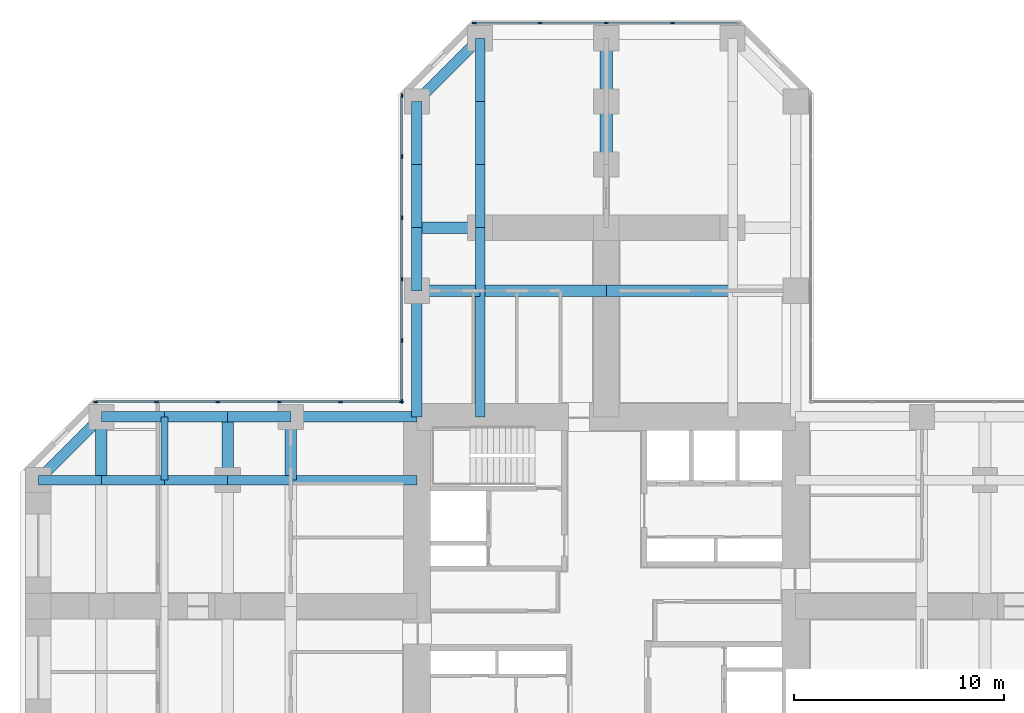
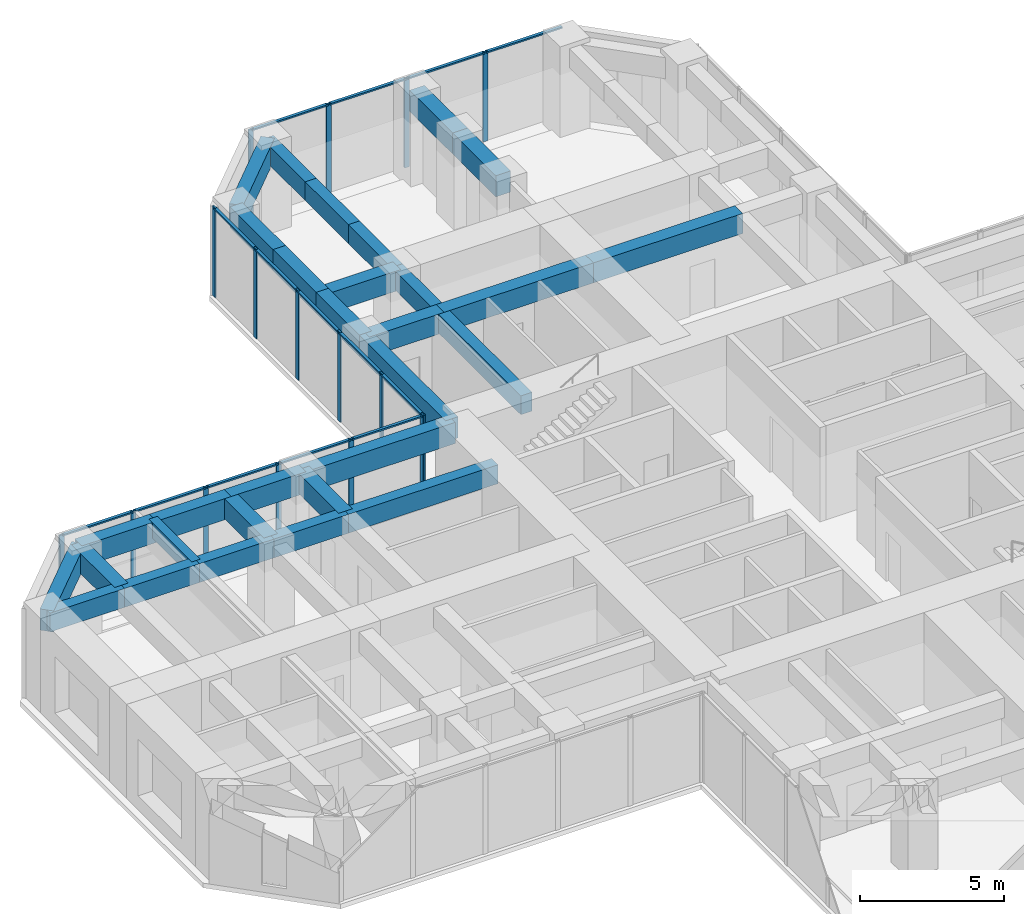
# One storey, part 5 of 13: 30 beams, 30 members, 3 elements without a shape of their own.
"""IFC4 building model written with IfcOpenShell, lengths in metres."""

import ifcopenshell
import ifcopenshell.guid

model = None  # the IFC model being written
_history = None  # IfcOwnerHistory: only IFC2X3 demands one
_inside = {}  # id of a spatial element -> (the spatial element, [elements in it])
_under = {}  # id of a project, library or spatial element -> (it, [spatial elements below it])
_declared = {}  # id of a project -> (the project, [libraries it declares])
_typed = {}  # id of a type object -> (the type object, [elements of that type])
_made_of = {}  # id of a material, layer set ... -> (it, [elements and type objects made of it])


def new_model(schema):
    """Start an empty IFC model of exactly this schema.

    Asked for "IFC4X3", IfcOpenShell would pick the latest addendum, in which some entities
    have other attributes; the version numbers below select the first issue.
    IFC2X3 requires an IfcOwnerHistory on every rooted entity: one is made here for all.
    """
    global model, _history
    if schema == "IFC4X3":
        model = ifcopenshell.file(schema_version=(4, 3, 0, 0))
    else:
        model = ifcopenshell.file(schema=schema)
    _inside.clear()
    _under.clear()
    _declared.clear()
    _typed.clear()
    _made_of.clear()
    _history = None
    if model.schema == "IFC2X3":
        org = make("IfcOrganization", Name="unknown")
        user = make(
            "IfcPersonAndOrganization",
            ThePerson=make("IfcPerson", FamilyName="unknown"),
            TheOrganization=org,
        )
        app = make(
            "IfcApplication",
            ApplicationDeveloper=org,
            Version="unknown",
            ApplicationFullName="unknown",
            ApplicationIdentifier="unknown",
        )
        _history = make(
            "IfcOwnerHistory",
            OwningUser=user,
            OwningApplication=app,
            ChangeAction="ADDED",
            CreationDate=0,
        )
    return model


def make(cls, **values):
    """One entity of the class cls with the attributes given. An attribute that is None is left unset."""
    return model.create_entity(
        cls, **{name: value for name, value in values.items() if value is not None}
    )


def rooted(cls, **values):
    """An entity with a GlobalId (a new one), such as an element, a storey or a relation."""
    return make(cls, GlobalId=ifcopenshell.guid.new(), OwnerHistory=_history, **values)


def si_unit(unit_type, name, prefix=None):
    """IfcSIUnit, for example si_unit("LENGTHUNIT", "METRE", prefix="MILLI")."""
    return make("IfcSIUnit", UnitType=unit_type, Prefix=prefix, Name=name)


def assignment(units):
    """IfcUnitAssignment: the units of a project."""
    return None if units is None else make("IfcUnitAssignment", Units=units)


def point(xyz):
    """IfcCartesianPoint."""
    return None if xyz is None else make("IfcCartesianPoint", Coordinates=xyz)


def direction(xyz):
    """IfcDirection."""
    return None if xyz is None else make("IfcDirection", DirectionRatios=xyz)


def frame(location, z_axis=None, x_axis=None):
    """IfcAxis2Placement3D, a coordinate frame: its origin and axes. An axis left out is left unset."""
    return make(
        "IfcAxis2Placement3D",
        Location=point(location),
        Axis=direction(z_axis),
        RefDirection=direction(x_axis),
    )


def frame_2d(location, x_axis=None):
    """IfcAxis2Placement2D, a coordinate frame in the plane: its origin and x axis."""
    return make(
        "IfcAxis2Placement2D", Location=point(location), RefDirection=direction(x_axis)
    )


def origin():
    """The frame at (0, 0, 0) with its axes left unset."""
    return frame((0.0, 0.0, 0.0))


def origin_2d():
    """The frame at (0, 0) in the plane with its x axis left unset."""
    return frame_2d((0.0, 0.0))


def place(relative_to, where):
    """IfcLocalPlacement: puts the frame where relative to a parent placement (None: the world)."""
    return make(
        "IfcLocalPlacement", PlacementRelTo=relative_to, RelativePlacement=where
    )


def context(
    kind, dimensions, precision=None, world=None, true_north=None, identifier=None
):
    """IfcGeometricRepresentationContext, for example the 3D "Model" context."""
    return make(
        "IfcGeometricRepresentationContext",
        ContextIdentifier=identifier,
        ContextType=kind,
        CoordinateSpaceDimension=dimensions,
        Precision=precision,
        WorldCoordinateSystem=world,
        TrueNorth=true_north,
    )


def subcontext(parent, identifier, kind, view, scale=None):
    """IfcGeometricRepresentationSubContext, for example "Body" below "Model"."""
    return make(
        "IfcGeometricRepresentationSubContext",
        ContextIdentifier=identifier,
        ContextType=kind,
        ParentContext=parent,
        TargetScale=scale,
        TargetView=view,
    )


def project(units=None, contexts=None):
    """IfcProject with its units and contexts."""
    return rooted(
        "IfcProject",
        Name="project",
        RepresentationContexts=contexts,
        UnitsInContext=assignment(units),
    )


def spatial(cls, under=None, at=None, **own):
    """A site, building, storey or space (cls), placed at a placement, below another one or the project."""
    s = rooted(cls, ObjectPlacement=at, **own)
    if under is not None:
        _under.setdefault(under.id(), (under, []))[1].append(s)
    return s


def profile(cls, at=None, kind="AREA", **sizes):
    """A parametric profile (cls). Its sizes go by their IFC names, for example OverallWidth=200.0."""
    return make(cls, ProfileType=kind, Position=at, **sizes)


def rectangle(**sizes):
    """IfcRectangleProfileDef."""
    return profile("IfcRectangleProfileDef", **sizes)


def extrude(swept, where, along, depth):
    """IfcExtrudedAreaSolid: the profile swept, set in the frame where, extruded along a direction by depth."""
    return make(
        "IfcExtrudedAreaSolid",
        SweptArea=swept,
        Position=where,
        ExtrudedDirection=direction(along),
        Depth=depth,
    )


def shape(context_of_items, identifier, shape_type, items):
    """IfcShapeRepresentation: the items that make up one representation, for example the "Body"."""
    return make(
        "IfcShapeRepresentation",
        ContextOfItems=context_of_items,
        RepresentationIdentifier=identifier,
        RepresentationType=shape_type,
        Items=items,
    )


def material(Name=None, Category=None):
    """IfcMaterial."""
    return make("IfcMaterial", Name=Name, Category=Category)


def material_profile(
    of_material, cross_section, Name=None, Category=None, Priority=None
):
    """IfcMaterialProfile: a cross section and its material."""
    return make(
        "IfcMaterialProfile",
        Name=Name,
        Material=of_material,
        Profile=cross_section,
        Priority=Priority,
        Category=Category,
    )


def profile_set(profiles, Name=None, composite=None):
    """IfcMaterialProfileSet."""
    return make(
        "IfcMaterialProfileSet",
        Name=Name,
        MaterialProfiles=profiles,
        CompositeProfile=composite,
    )


def made_of(thing, what):
    """Note that an element or type object is made of a material, layer set ...; save() writes the relation."""
    if what is not None:
        _made_of.setdefault(what.id(), (what, []))[1].append(thing)
    return thing


def type_object(cls, material=None, **own):
    """A type object (cls), such as IfcWallType, which elements share."""
    return made_of(rooted(cls, **own), material)


def element(
    cls,
    number,
    at=None,
    inside=None,
    cuts=None,
    type_object=None,
    material=None,
    context=None,
    identifier="Body",
    shape_type=None,
    held_by="IfcProductDefinitionShape",
    body=None,
    shapes=None,
    **own,
):
    """One element of the class cls, such as IfcWall. Its Tag is "e" and its number.

    at: its placement. inside: the storey or other place that contains it. cuts: it is an
    opening in that element (IfcRelVoidsElement). A single representation is given by context,
    identifier, shape_type and body (its items); several are given by shapes. held_by: the class
    of the entity that holds the representations. save() writes the other relations.
    """
    e = rooted(cls, Tag="e%d" % number, ObjectPlacement=at, **own)
    if body is not None:
        shapes = [shape(context, identifier, shape_type, body)]
    if shapes is not None:
        e.Representation = make(held_by, Representations=shapes)
    if inside is not None:
        _inside.setdefault(inside.id(), (inside, []))[1].append(e)
    if cuts is not None:
        rooted(
            "IfcRelVoidsElement", RelatingBuildingElement=cuts, RelatedOpeningElement=e
        )
    if type_object is not None:
        _typed.setdefault(type_object.id(), (type_object, []))[1].append(e)
    return made_of(e, material)


def aggregate(whole, parts):
    """IfcRelAggregates: a whole, such as a stair, and the parts it consists of."""
    return rooted("IfcRelAggregates", RelatingObject=whole, RelatedObjects=parts)


def save(model, path):
    """Write the relations noted so far, then the file.

    IfcRelAggregates (storeys below a building ...), IfcRelContainedInSpatialStructure (elements
    in a storey), IfcRelDefinesByType, IfcRelAssociatesMaterial and IfcRelDeclares: one each for
    every whole, place, type object, material and project.
    """
    for whole, parts in _under.values():
        aggregate(whole, parts)
    for where, things in _inside.values():
        rooted(
            "IfcRelContainedInSpatialStructure",
            RelatedElements=things,
            RelatingStructure=where,
        )
    for kind, things in _typed.values():
        rooted("IfcRelDefinesByType", RelatedObjects=things, RelatingType=kind)
    for what, things in _made_of.values():
        rooted("IfcRelAssociatesMaterial", RelatedObjects=things, RelatingMaterial=what)
    for by, libraries in _declared.values():
        rooted("IfcRelDeclares", RelatingContext=by, RelatedDefinitions=libraries)
    model.write(path)


model = new_model("IFC4")

# Units and contexts
model_context = context("Model", 3, precision=1e-05, world=origin(), true_north=direction((0.0, 1.0)))
body_context = subcontext(model_context, "Body", "Model", "MODEL_VIEW")
ifc_project = project(units=[si_unit("LENGTHUNIT", "METRE"), si_unit("AREAUNIT", "SQUARE_METRE"), si_unit("VOLUMEUNIT", "CUBIC_METRE"), si_unit("PLANEANGLEUNIT", "RADIAN"), si_unit("MASSUNIT", "GRAM", prefix="KILO")], contexts=[model_context])

# Site, building, storey
site_placement = place(None, origin())
site = spatial("IfcSite", under=ifc_project, at=site_placement, CompositionType="ELEMENT")
building_placement = place(site_placement, origin())
building = spatial("IfcBuilding", under=site, at=building_placement, Name="Torre Cruceta", CompositionType="ELEMENT")
storey_placement = place(building_placement, frame((0.0, 0.0, 55.5)))
storey = spatial("IfcBuildingStorey", under=building, at=storey_placement, Name="L13", CompositionType="ELEMENT", Elevation=55.5)

# Beams
ifc_material_1 = material(Name="Concrete G60 (fck 60 MPa)", Category="concrete")
ifc_material_profile_1 = material_profile(ifc_material_1, rectangle(XDim=0.60009765625, YDim=0.89990234375, at=origin_2d()), Name="RC 600X900")
ifc_profile_set_1 = profile_set([ifc_material_profile_1], Name="Concrete G60 (fck 60 MPa)")
beam_type_1 = type_object("IfcBeamType", Name="ARM CENTRE BEAM RC 600X900", PredefinedType="BEAM", material=ifc_profile_set_1)
for number, where, z_axis, x_axis, name in (
    (1, (0.0, 21.0, 3.35009765625), (0.0, 1.0, 0.0), (-1.0, 0.0, 0.0), "MB3 L13 N centre 1"),
    (2, (0.0, 24.0, 3.35009765625), (0.0, 1.0, 0.0), (-1.0, 0.0, 0.0), "MB3 L13 N centre 2"),
):
    element("IfcBeam", number, at=place(storey_placement, frame(where, z_axis=z_axis, x_axis=x_axis)), inside=storey, type_object=beam_type_1, Name=name, PredefinedType="BEAM", context=body_context, shape_type="SweptSolid", body=[
        extrude(rectangle(XDim=0.60009765625, YDim=0.89990234375, at=origin_2d()), origin(), (0.0, 0.0, 1.0), 3.0),
    ])
ifc_material_2 = material(Name="Concrete G60 (fck 60 MPa)", Category="concrete")
ifc_material_profile_2 = material_profile(ifc_material_2, rectangle(XDim=0.449951171875, YDim=0.800048828125, at=origin_2d()), Name="RC 450X800")
ifc_profile_set_2 = profile_set([ifc_material_profile_2], Name="Concrete G60 (fck 60 MPa)")
beam_type_2 = type_object("IfcBeamType", Name="COLUMN LINE BEAM RC 450X800", PredefinedType="BEAM", material=ifc_profile_set_2)
beam_1_placement = place(storey_placement, frame((-6.0, 9.0, 3.39990234375), z_axis=(0.0, 1.0, 0.0), x_axis=(-1.0, 0.0, 0.0)))
element("IfcBeam", 3, at=beam_1_placement, inside=storey, type_object=beam_type_2, Name="LB1 L13 N col+ 1", PredefinedType="BEAM", context=body_context, shape_type="SweptSolid", body=[
    extrude(rectangle(XDim=0.449951171875, YDim=0.800048828125, at=origin_2d()), origin(), (0.0, 0.0, 1.0), 6.0),
])
for number, where, z_axis, x_axis, name in (
    (4, (-6.0, 15.0, 3.39990234375), (0.0, 1.0, 0.0), (-1.0, 0.0, 0.0), "LB1 L13 N col+ 2"),
    (5, (-6.0, 18.0, 3.39990234375), (0.0, 1.0, 0.0), (-1.0, 0.0, 0.0), "LB1 L13 N col+ 3"),
    (6, (-6.0, 21.0, 3.39990234375), (0.0, 1.0, 0.0), (-1.0, 0.0, 0.0), "LB1 L13 N col+ 4"),
    (7, (-6.0, 24.0, 3.39990234375), (0.0, 1.0, 0.0), (-1.0, 0.0, 0.0), "LB1 L13 N col+ 5"),
):
    element("IfcBeam", number, at=place(storey_placement, frame(where, z_axis=z_axis, x_axis=x_axis)), inside=storey, type_object=beam_type_2, Name=name, PredefinedType="BEAM", context=body_context, shape_type="SweptSolid", body=[
        extrude(rectangle(XDim=0.449951171875, YDim=0.800048828125, at=origin_2d()), origin(), (0.0, 0.0, 1.0), 3.0),
    ])
beam_2_placement = place(storey_placement, frame((-9.0, 6.0, 3.39990234375), z_axis=(-1.0, 0.0, 0.0), x_axis=(0.0, -1.0, 0.0)))
element("IfcBeam", 8, at=beam_2_placement, inside=storey, type_object=beam_type_2, Name="LB1 L13 W col- 1", PredefinedType="BEAM", context=body_context, shape_type="SweptSolid", body=[
    extrude(rectangle(XDim=0.449951171875, YDim=0.800048828125, at=origin_2d()), origin(), (0.0, 0.0, 1.0), 6.0),
])
for number, where, z_axis, x_axis, name in (
    (9, (-15.0, 6.0, 3.39990234375), (-1.0, 0.0, 0.0), (0.0, -1.0, 0.0), "LB1 L13 W col- 2"),
    (10, (-18.0, 6.0, 3.39990234375), (-1.0, 0.0, 0.0), (0.0, -1.0, 0.0), "LB1 L13 W col- 3"),
    (11, (-21.0, 6.0, 3.39990234375), (-1.0, 0.0, 0.0), (0.0, -1.0, 0.0), "LB1 L13 W col- 4"),
    (12, (-24.0, 6.0, 3.39990234375), (-1.0, 0.0, 0.0), (0.0, -1.0, 0.0), "LB1 L13 W col- 5"),
):
    element("IfcBeam", number, at=place(storey_placement, frame(where, z_axis=z_axis, x_axis=x_axis)), inside=storey, type_object=beam_type_2, Name=name, PredefinedType="BEAM", context=body_context, shape_type="SweptSolid", body=[
        extrude(rectangle(XDim=0.449951171875, YDim=0.800048828125, at=origin_2d()), origin(), (0.0, 0.0, 1.0), 3.0),
    ])
ifc_material_3 = material(Name="Concrete G60 (fck 60 MPa)", Category="concrete")
ifc_material_profile_3 = material_profile(ifc_material_3, rectangle(XDim=0.550048828125, YDim=0.85009765625, at=origin_2d()), Name="RC 550X850")
ifc_profile_set_3 = profile_set([ifc_material_profile_3], Name="Concrete G60 (fck 60 MPa)")
beam_type_3 = type_object("IfcBeamType", Name="CROSS BEAM RC 550X850", PredefinedType="BEAM", material=ifc_profile_set_3)
for number, where, z_axis, x_axis, name in (
    (13, (6.0, 15.0, 3.375), (-1.0, 0.0, 0.0), (0.0, -1.0, 0.0), "GB4 L13 N cross15 2"),
    (14, (0.0, 15.0, 3.375), (-1.0, 0.0, 0.0), (0.0, -1.0, 0.0), "GB4 L13 N cross15 3"),
):
    element("IfcBeam", number, at=place(storey_placement, frame(where, z_axis=z_axis, x_axis=x_axis)), inside=storey, type_object=beam_type_3, Name=name, PredefinedType="BEAM", context=body_context, shape_type="SweptSolid", body=[
        extrude(rectangle(XDim=0.550048828125, YDim=0.85009765625, at=origin_2d()), origin(), (0.0, 0.0, 1.0), 6.0),
    ])
for number, where, z_axis, x_axis, name in (
    (15, (-6.0, 15.0, 3.375), (-1.0, 0.0, 0.0), (0.0, -1.0, 0.0), "GB4 L13 N cross15 4"),
    (16, (-6.0, 18.0, 3.375), (-1.0, 0.0, 0.0), (0.0, -1.0, 0.0), "GB4 L13 N cross18b 1"),
    (17, (-15.0, 9.0, 3.375), (0.0, -1.0, 0.0), (1.0, 0.0, 0.0), "GB4 L13 W cross15 1"),
    (18, (-18.0, 9.0, 3.375), (0.0, -1.0, 0.0), (1.0, 0.0, 0.0), "GB4 L13 W cross18 1"),
    (19, (-24.0, 9.0, 3.375), (0.0, -1.0, 0.0), (1.0, 0.0, 0.0), "GB4 L13 W cross24 1"),
):
    element("IfcBeam", number, at=place(storey_placement, frame(where, z_axis=z_axis, x_axis=x_axis)), inside=storey, type_object=beam_type_3, Name=name, PredefinedType="BEAM", context=body_context, shape_type="SweptSolid", body=[
        extrude(rectangle(XDim=0.550048828125, YDim=0.85009765625, at=origin_2d()), origin(), (0.0, 0.0, 1.0), 3.0),
    ])

# Curtain wall, members
ifc_material_4 = material(Name="Aluminium unitised curtain wall", Category="aluminium")
curtain_wall_type = type_object("IfcCurtainWallType", Name="CURTAIN WALL CW-A OFFICE LOW RISE", PredefinedType="USERDEFINED", material=ifc_material_4)
curtain_wall_1_placement = place(storey_placement, origin())
curtain_wall_1 = element("IfcCurtainWall", 20, at=curtain_wall_1_placement, inside=storey, type_object=curtain_wall_type, Name="CW-A L13 N tip 07", ObjectType="UNITISED", PredefinedType="USERDEFINED")
ifc_material_5 = material(Name="Aluminium mullion", Category="aluminium")
ifc_material_profile_4 = material_profile(ifc_material_5, rectangle(XDim=0.06494140625, YDim=0.199951171875, at=origin_2d()), Name="AL 65X200")
ifc_profile_set_4 = profile_set([ifc_material_profile_4], Name="Aluminium mullion")
member_type_1 = type_object("IfcMemberType", Name="CW-A MULLION 65X200", PredefinedType="MULLION", material=ifc_profile_set_4)
member_1_placement = place(storey_placement, frame((3.149169921875, 27.719970703125, 0.0), z_axis=(0.0, 0.0, 1.0), x_axis=(0.0, -1.0, 0.0)))
member_1 = element("IfcMember", 21, at=member_1_placement, type_object=member_type_1, Name="CW-A mullion 2", PredefinedType="MULLION", context=body_context, shape_type="SweptSolid", body=[
    extrude(rectangle(XDim=0.06494140625, YDim=0.199951171875, at=origin_2d()), origin(), (0.0, 0.0, 1.0), 3.800048828125),
])
member_2_placement = place(storey_placement, frame((0.0, 27.719970703125, 0.0), z_axis=(0.0, 0.0, 1.0), x_axis=(0.0, -1.0, 0.0)))
member_2 = element("IfcMember", 22, at=member_2_placement, type_object=member_type_1, Name="CW-A mullion 3", PredefinedType="MULLION", context=body_context, shape_type="SweptSolid", body=[
    extrude(rectangle(XDim=0.06494140625, YDim=0.199951171875, at=origin_2d()), origin(), (0.0, 0.0, 1.0), 3.800048828125),
])
member_3_placement = place(storey_placement, frame((-3.149169921875, 27.719970703125, 0.0), z_axis=(0.0, 0.0, 1.0), x_axis=(0.0, -1.0, 0.0)))
member_3 = element("IfcMember", 23, at=member_3_placement, type_object=member_type_1, Name="CW-A mullion 4", PredefinedType="MULLION", context=body_context, shape_type="SweptSolid", body=[
    extrude(rectangle(XDim=0.06494140625, YDim=0.199951171875, at=origin_2d()), origin(), (0.0, 0.0, 1.0), 3.800048828125),
])
member_4_placement = place(storey_placement, frame((-6.265625, 27.719970703125, 0.0), z_axis=(0.0, 0.0, 1.0), x_axis=(0.0, -1.0, 0.0)))
member_4 = element("IfcMember", 24, at=member_4_placement, type_object=member_type_1, Name="CW-A mullion 5", PredefinedType="MULLION", context=body_context, shape_type="SweptSolid", body=[
    extrude(rectangle(XDim=0.06494140625, YDim=0.199951171875, at=origin_2d()), origin(), (0.0, 0.0, 1.0), 3.800048828125),
])

curtain_wall_2_placement = place(storey_placement, origin())
curtain_wall_2 = element("IfcCurtainWall", 25, at=curtain_wall_2_placement, inside=storey, type_object=curtain_wall_type, Name="CW-A L13 N side 09", ObjectType="UNITISED", PredefinedType="USERDEFINED")
member_5_placement = place(storey_placement, frame((-9.719970703125, 24.265625, 0.0), z_axis=(0.0, 0.0, 1.0), x_axis=(1.0, 0.0, 0.0)))
member_5 = element("IfcMember", 26, at=member_5_placement, type_object=member_type_1, Name="CW-A mullion 1", PredefinedType="MULLION", context=body_context, shape_type="SweptSolid", body=[
    extrude(rectangle(XDim=0.06494140625, YDim=0.199951171875, at=origin_2d()), origin(), (0.0, 0.0, 1.0), 3.800048828125),
])
member_6_placement = place(storey_placement, frame((-9.719970703125, 21.382568359375, 0.0), z_axis=(0.0, 0.0, 1.0), x_axis=(1.0, 0.0, 0.0)))
member_6 = element("IfcMember", 27, at=member_6_placement, type_object=member_type_1, Name="CW-A mullion 2", PredefinedType="MULLION", context=body_context, shape_type="SweptSolid", body=[
    extrude(rectangle(XDim=0.06494140625, YDim=0.199951171875, at=origin_2d()), origin(), (0.0, 0.0, 1.0), 3.800048828125),
])
member_7_placement = place(storey_placement, frame((-9.719970703125, 18.467041015625, 0.0), z_axis=(0.0, 0.0, 1.0), x_axis=(1.0, 0.0, 0.0)))
member_7 = element("IfcMember", 28, at=member_7_placement, type_object=member_type_1, Name="CW-A mullion 3", PredefinedType="MULLION", context=body_context, shape_type="SweptSolid", body=[
    extrude(rectangle(XDim=0.06494140625, YDim=0.199951171875, at=origin_2d()), origin(), (0.0, 0.0, 1.0), 3.800048828125),
])
member_8_placement = place(storey_placement, frame((-9.719970703125, 15.55126953125, 0.0), z_axis=(0.0, 0.0, 1.0), x_axis=(1.0, 0.0, 0.0)))
member_8 = element("IfcMember", 29, at=member_8_placement, type_object=member_type_1, Name="CW-A mullion 4", PredefinedType="MULLION", context=body_context, shape_type="SweptSolid", body=[
    extrude(rectangle(XDim=0.06494140625, YDim=0.199951171875, at=origin_2d()), origin(), (0.0, 0.0, 1.0), 3.800048828125),
])
member_9_placement = place(storey_placement, frame((-9.719970703125, 12.6357421875, 0.0), z_axis=(0.0, 0.0, 1.0), x_axis=(1.0, 0.0, 0.0)))
member_9 = element("IfcMember", 30, at=member_9_placement, type_object=member_type_1, Name="CW-A mullion 5", PredefinedType="MULLION", context=body_context, shape_type="SweptSolid", body=[
    extrude(rectangle(XDim=0.06494140625, YDim=0.199951171875, at=origin_2d()), origin(), (0.0, 0.0, 1.0), 3.800048828125),
])
member_10_placement = place(storey_placement, frame((-9.719970703125, 9.75244140625, 0.0), z_axis=(0.0, 0.0, 1.0), x_axis=(1.0, 0.0, 0.0)))
member_10 = element("IfcMember", 31, at=member_10_placement, type_object=member_type_1, Name="CW-A mullion 6", PredefinedType="MULLION", context=body_context, shape_type="SweptSolid", body=[
    extrude(rectangle(XDim=0.06494140625, YDim=0.199951171875, at=origin_2d()), origin(), (0.0, 0.0, 1.0), 3.800048828125),
])

curtain_wall_3_placement = place(storey_placement, origin())
curtain_wall_3 = element("IfcCurtainWall", 32, at=curtain_wall_3_placement, inside=storey, type_object=curtain_wall_type, Name="CW-A L13 W side 10", ObjectType="UNITISED", PredefinedType="USERDEFINED")
member_11_placement = place(storey_placement, frame((-9.75244140625, 9.719970703125, 0.0), z_axis=(0.0, 0.0, 1.0), x_axis=(0.0, -1.0, 0.0)))
member_11 = element("IfcMember", 33, at=member_11_placement, type_object=member_type_1, Name="CW-A mullion 1", PredefinedType="MULLION", context=body_context, shape_type="SweptSolid", body=[
    extrude(rectangle(XDim=0.06494140625, YDim=0.199951171875, at=origin_2d()), origin(), (0.0, 0.0, 1.0), 3.800048828125),
])
member_12_placement = place(storey_placement, frame((-12.6357421875, 9.719970703125, 0.0), z_axis=(0.0, 0.0, 1.0), x_axis=(0.0, -1.0, 0.0)))
member_12 = element("IfcMember", 34, at=member_12_placement, type_object=member_type_1, Name="CW-A mullion 2", PredefinedType="MULLION", context=body_context, shape_type="SweptSolid", body=[
    extrude(rectangle(XDim=0.06494140625, YDim=0.199951171875, at=origin_2d()), origin(), (0.0, 0.0, 1.0), 3.800048828125),
])
member_13_placement = place(storey_placement, frame((-15.55126953125, 9.719970703125, 0.0), z_axis=(0.0, 0.0, 1.0), x_axis=(0.0, -1.0, 0.0)))
member_13 = element("IfcMember", 35, at=member_13_placement, type_object=member_type_1, Name="CW-A mullion 3", PredefinedType="MULLION", context=body_context, shape_type="SweptSolid", body=[
    extrude(rectangle(XDim=0.06494140625, YDim=0.199951171875, at=origin_2d()), origin(), (0.0, 0.0, 1.0), 3.800048828125),
])
member_14_placement = place(storey_placement, frame((-18.467041015625, 9.719970703125, 0.0), z_axis=(0.0, 0.0, 1.0), x_axis=(0.0, -1.0, 0.0)))
member_14 = element("IfcMember", 36, at=member_14_placement, type_object=member_type_1, Name="CW-A mullion 4", PredefinedType="MULLION", context=body_context, shape_type="SweptSolid", body=[
    extrude(rectangle(XDim=0.06494140625, YDim=0.199951171875, at=origin_2d()), origin(), (0.0, 0.0, 1.0), 3.800048828125),
])
member_15_placement = place(storey_placement, frame((-21.382568359375, 9.719970703125, 0.0), z_axis=(0.0, 0.0, 1.0), x_axis=(0.0, -1.0, 0.0)))
member_15 = element("IfcMember", 37, at=member_15_placement, type_object=member_type_1, Name="CW-A mullion 5", PredefinedType="MULLION", context=body_context, shape_type="SweptSolid", body=[
    extrude(rectangle(XDim=0.06494140625, YDim=0.199951171875, at=origin_2d()), origin(), (0.0, 0.0, 1.0), 3.800048828125),
])
member_16_placement = place(storey_placement, frame((-24.265625, 9.719970703125, 0.0), z_axis=(0.0, 0.0, 1.0), x_axis=(0.0, -1.0, 0.0)))
member_16 = element("IfcMember", 38, at=member_16_placement, type_object=member_type_1, Name="CW-A mullion 6", PredefinedType="MULLION", context=body_context, shape_type="SweptSolid", body=[
    extrude(rectangle(XDim=0.06494140625, YDim=0.199951171875, at=origin_2d()), origin(), (0.0, 0.0, 1.0), 3.800048828125),
])

# Member
ifc_material_6 = material(Name="Aluminium transom", Category="aluminium")
ifc_material_profile_5 = material_profile(ifc_material_6, rectangle(XDim=0.1201171875, YDim=0.06494140625, at=origin_2d()), Name="AL 120X65")
ifc_profile_set_5 = profile_set([ifc_material_profile_5], Name="Aluminium transom")
member_type_2 = type_object("IfcMemberType", Name="CW-A TRANSOM 65X120", PredefinedType="USERDEFINED", material=ifc_profile_set_5)
member_17_placement = place(storey_placement, frame((6.233154296875, 27.719970703125, 3.767578125), z_axis=(-1.0, 0.0, 0.0), x_axis=(0.0, -1.0, 0.0)))
member_17 = element("IfcMember", 39, at=member_17_placement, type_object=member_type_2, Name="CW-A transom 1", ObjectType="TRANSOM", PredefinedType="USERDEFINED", context=body_context, shape_type="SweptSolid", body=[
    extrude(rectangle(XDim=0.1201171875, YDim=0.06494140625, at=origin_2d()), origin(), (0.0, 0.0, 1.0), 3.051513671875),
])

member_18_placement = place(storey_placement, frame((3.11669921875, 27.719970703125, 3.767578125), z_axis=(-1.0, 0.0, 0.0), x_axis=(0.0, -1.0, 0.0)))
member_18 = element("IfcMember", 40, at=member_18_placement, type_object=member_type_2, Name="CW-A transom 2", ObjectType="TRANSOM", PredefinedType="USERDEFINED", context=body_context, shape_type="SweptSolid", body=[
    extrude(rectangle(XDim=0.1201171875, YDim=0.06494140625, at=origin_2d()), origin(), (0.0, 0.0, 1.0), 3.084228515625),
])

member_19_placement = place(storey_placement, frame((-0.032470703125, 27.719970703125, 3.767578125), z_axis=(-1.0, 0.0, 0.0), x_axis=(0.0, -1.0, 0.0)))
member_19 = element("IfcMember", 41, at=member_19_placement, type_object=member_type_2, Name="CW-A transom 3", ObjectType="TRANSOM", PredefinedType="USERDEFINED", context=body_context, shape_type="SweptSolid", body=[
    extrude(rectangle(XDim=0.1201171875, YDim=0.06494140625, at=origin_2d()), origin(), (0.0, 0.0, 1.0), 3.084228515625),
])

member_20_placement = place(storey_placement, frame((-3.181640625, 27.719970703125, 3.767578125), z_axis=(-1.0, 0.0, 0.0), x_axis=(0.0, -1.0, 0.0)))
member_20 = element("IfcMember", 42, at=member_20_placement, type_object=member_type_2, Name="CW-A transom 4", ObjectType="TRANSOM", PredefinedType="USERDEFINED", context=body_context, shape_type="SweptSolid", body=[
    extrude(rectangle(XDim=0.1201171875, YDim=0.06494140625, at=origin_2d()), origin(), (0.0, 0.0, 1.0), 3.051513671875),
])

aggregate(curtain_wall_1, [member_1, member_2, member_3, member_4, member_17, member_18, member_19, member_20])

member_21_placement = place(storey_placement, frame((-9.719970703125, 24.233154296875, 3.767578125), z_axis=(0.0, -1.0, 0.0), x_axis=(1.0, 0.0, 0.0)))
member_21 = element("IfcMember", 43, at=member_21_placement, type_object=member_type_2, Name="CW-A transom 1", ObjectType="TRANSOM", PredefinedType="USERDEFINED", context=body_context, shape_type="SweptSolid", body=[
    extrude(rectangle(XDim=0.1201171875, YDim=0.06494140625, at=origin_2d()), origin(), (0.0, 0.0, 1.0), 2.818115234375),
])

member_22_placement = place(storey_placement, frame((-9.719970703125, 21.35009765625, 3.767578125), z_axis=(0.0, -1.0, 0.0), x_axis=(1.0, 0.0, 0.0)))
member_22 = element("IfcMember", 44, at=member_22_placement, type_object=member_type_2, Name="CW-A transom 2", ObjectType="TRANSOM", PredefinedType="USERDEFINED", context=body_context, shape_type="SweptSolid", body=[
    extrude(rectangle(XDim=0.1201171875, YDim=0.06494140625, at=origin_2d()), origin(), (0.0, 0.0, 1.0), 2.8505859375),
])

member_23_placement = place(storey_placement, frame((-9.719970703125, 18.434326171875, 3.767578125), z_axis=(0.0, -1.0, 0.0), x_axis=(1.0, 0.0, 0.0)))
member_23 = element("IfcMember", 45, at=member_23_placement, type_object=member_type_2, Name="CW-A transom 3", ObjectType="TRANSOM", PredefinedType="USERDEFINED", context=body_context, shape_type="SweptSolid", body=[
    extrude(rectangle(XDim=0.1201171875, YDim=0.06494140625, at=origin_2d()), origin(), (0.0, 0.0, 1.0), 2.8505859375),
])

member_24_placement = place(storey_placement, frame((-9.719970703125, 15.518798828125, 3.767578125), z_axis=(0.0, -1.0, 0.0), x_axis=(1.0, 0.0, 0.0)))
member_24 = element("IfcMember", 46, at=member_24_placement, type_object=member_type_2, Name="CW-A transom 4", ObjectType="TRANSOM", PredefinedType="USERDEFINED", context=body_context, shape_type="SweptSolid", body=[
    extrude(rectangle(XDim=0.1201171875, YDim=0.06494140625, at=origin_2d()), origin(), (0.0, 0.0, 1.0), 2.8505859375),
])

member_25_placement = place(storey_placement, frame((-9.719970703125, 12.60302734375, 3.767578125), z_axis=(0.0, -1.0, 0.0), x_axis=(1.0, 0.0, 0.0)))
member_25 = element("IfcMember", 47, at=member_25_placement, type_object=member_type_2, Name="CW-A transom 5", ObjectType="TRANSOM", PredefinedType="USERDEFINED", context=body_context, shape_type="SweptSolid", body=[
    extrude(rectangle(XDim=0.1201171875, YDim=0.06494140625, at=origin_2d()), origin(), (0.0, 0.0, 1.0), 2.818115234375),
])

aggregate(curtain_wall_2, [member_5, member_6, member_7, member_8, member_9, member_10, member_21, member_22, member_23, member_24, member_25])

member_26_placement = place(storey_placement, frame((-9.784912109375, 9.719970703125, 3.767578125), z_axis=(-1.0, 0.0, 0.0), x_axis=(0.0, -1.0, 0.0)))
member_26 = element("IfcMember", 48, at=member_26_placement, type_object=member_type_2, Name="CW-A transom 1", ObjectType="TRANSOM", PredefinedType="USERDEFINED", context=body_context, shape_type="SweptSolid", body=[
    extrude(rectangle(XDim=0.1201171875, YDim=0.06494140625, at=origin_2d()), origin(), (0.0, 0.0, 1.0), 2.818115234375),
])

member_27_placement = place(storey_placement, frame((-12.668212890625, 9.719970703125, 3.767578125), z_axis=(-1.0, 0.0, 0.0), x_axis=(0.0, -1.0, 0.0)))
member_27 = element("IfcMember", 49, at=member_27_placement, type_object=member_type_2, Name="CW-A transom 2", ObjectType="TRANSOM", PredefinedType="USERDEFINED", context=body_context, shape_type="SweptSolid", body=[
    extrude(rectangle(XDim=0.1201171875, YDim=0.06494140625, at=origin_2d()), origin(), (0.0, 0.0, 1.0), 2.8505859375),
])

member_28_placement = place(storey_placement, frame((-15.583740234375, 9.719970703125, 3.767578125), z_axis=(-1.0, 0.0, 0.0), x_axis=(0.0, -1.0, 0.0)))
member_28 = element("IfcMember", 50, at=member_28_placement, type_object=member_type_2, Name="CW-A transom 3", ObjectType="TRANSOM", PredefinedType="USERDEFINED", context=body_context, shape_type="SweptSolid", body=[
    extrude(rectangle(XDim=0.1201171875, YDim=0.06494140625, at=origin_2d()), origin(), (0.0, 0.0, 1.0), 2.8505859375),
])

member_29_placement = place(storey_placement, frame((-18.49951171875, 9.719970703125, 3.767578125), z_axis=(-1.0, 0.0, 0.0), x_axis=(0.0, -1.0, 0.0)))
member_29 = element("IfcMember", 51, at=member_29_placement, type_object=member_type_2, Name="CW-A transom 4", ObjectType="TRANSOM", PredefinedType="USERDEFINED", context=body_context, shape_type="SweptSolid", body=[
    extrude(rectangle(XDim=0.1201171875, YDim=0.06494140625, at=origin_2d()), origin(), (0.0, 0.0, 1.0), 2.8505859375),
])

member_30_placement = place(storey_placement, frame((-21.4150390625, 9.719970703125, 3.767578125), z_axis=(-1.0, 0.0, 0.0), x_axis=(0.0, -1.0, 0.0)))
member_30 = element("IfcMember", 52, at=member_30_placement, type_object=member_type_2, Name="CW-A transom 5", ObjectType="TRANSOM", PredefinedType="USERDEFINED", context=body_context, shape_type="SweptSolid", body=[
    extrude(rectangle(XDim=0.1201171875, YDim=0.06494140625, at=origin_2d()), origin(), (0.0, 0.0, 1.0), 2.818115234375),
])

aggregate(curtain_wall_3, [member_11, member_12, member_13, member_14, member_15, member_16, member_26, member_27, member_28, member_29, member_30])

# Beams
ifc_material_7 = material(Name="Concrete G60 (fck 60 MPa)", Category="concrete")
ifc_material_profile_6 = material_profile(ifc_material_7, rectangle(XDim=0.35009765625, YDim=0.64990234375, at=origin_2d()), Name="RC 350X650")
ifc_profile_set_6 = profile_set([ifc_material_profile_6], Name="Concrete G60 (fck 60 MPa)")
beam_type_4 = type_object("IfcBeamType", Name="SECONDARY BEAM RC 350X650", PredefinedType="JOIST", material=ifc_profile_set_6)
beam_3_placement = place(storey_placement, frame((-21.0, 9.0, 3.47509765625), z_axis=(0.0, -1.0, 0.0), x_axis=(1.0, 0.0, 0.0)))
element("IfcBeam", 53, at=beam_3_placement, inside=storey, type_object=beam_type_4, Name="JB3 L13 W sec21 1", PredefinedType="JOIST", context=body_context, shape_type="SweptSolid", body=[
    extrude(rectangle(XDim=0.35009765625, YDim=0.64990234375, at=origin_2d()), origin(), (0.0, 0.0, 1.0), 3.0),
])
ifc_material_8 = material(Name="Concrete G60 (fck 60 MPa)", Category="concrete")
ifc_material_profile_7 = material_profile(ifc_material_8, rectangle(XDim=0.5, YDim=0.89990234375, at=origin_2d()), Name="RC 500X900")
ifc_profile_set_7 = profile_set([ifc_material_profile_7], Name="Concrete G60 (fck 60 MPa)")
beam_type_5 = type_object("IfcBeamType", Name="SPANDREL BEAM RC 500X900", PredefinedType="SPANDREL", material=ifc_profile_set_7)
beam_4_placement = place(storey_placement, frame((-9.0, 9.0, 3.35009765625), z_axis=(0.0, 1.0, 0.0), x_axis=(-1.0, 0.0, 0.0)))
element("IfcBeam", 54, at=beam_4_placement, inside=storey, type_object=beam_type_5, Name="SB4 L13 N side+ 1", PredefinedType="SPANDREL", context=body_context, shape_type="SweptSolid", body=[
    extrude(rectangle(XDim=0.5, YDim=0.89990234375, at=origin_2d()), origin(), (0.0, 0.0, 1.0), 6.0),
])
for number, where, z_axis, x_axis, name in (
    (55, (-9.0, 15.0, 3.35009765625), (0.0, 1.0, 0.0), (-1.0, 0.0, 0.0), "SB4 L13 N side+ 2"),
    (56, (-9.0, 18.0, 3.35009765625), (0.0, 1.0, 0.0), (-1.0, 0.0, 0.0), "SB4 L13 N side+ 3"),
    (57, (-9.0, 21.0, 3.35009765625), (0.0, 1.0, 0.0), (-1.0, 0.0, 0.0), "SB4 L13 N side+ 4"),
):
    element("IfcBeam", number, at=place(storey_placement, frame(where, z_axis=z_axis, x_axis=x_axis)), inside=storey, type_object=beam_type_5, Name=name, PredefinedType="SPANDREL", context=body_context, shape_type="SweptSolid", body=[
        extrude(rectangle(XDim=0.5, YDim=0.89990234375, at=origin_2d()), origin(), (0.0, 0.0, 1.0), 3.0),
    ])
beam_5_placement = place(storey_placement, frame((-9.0, 24.0, 3.35009765625), z_axis=(0.707106781187, 0.707106781187, 0.0), x_axis=(-0.707106781187, 0.707106781187, 0.0)))
element("IfcBeam", 58, at=beam_5_placement, inside=storey, type_object=beam_type_5, Name="SB4 L13 N side+ 5", PredefinedType="SPANDREL", context=body_context, shape_type="SweptSolid", body=[
    extrude(rectangle(XDim=0.5, YDim=0.89990234375, at=origin_2d()), origin(), (0.0, 0.0, 1.0), 4.24267578125),
])
beam_6_placement = place(storey_placement, frame((-9.0, 9.0, 3.35009765625), z_axis=(-1.0, 0.0, 0.0), x_axis=(0.0, -1.0, 0.0)))
element("IfcBeam", 59, at=beam_6_placement, inside=storey, type_object=beam_type_5, Name="SB4 L13 W side- 1", PredefinedType="SPANDREL", context=body_context, shape_type="SweptSolid", body=[
    extrude(rectangle(XDim=0.5, YDim=0.89990234375, at=origin_2d()), origin(), (0.0, 0.0, 1.0), 6.0),
])
for number, where, z_axis, x_axis, name in (
    (60, (-15.0, 9.0, 3.35009765625), (-1.0, 0.0, 0.0), (0.0, -1.0, 0.0), "SB4 L13 W side- 2"),
    (61, (-18.0, 9.0, 3.35009765625), (-1.0, 0.0, 0.0), (0.0, -1.0, 0.0), "SB4 L13 W side- 3"),
    (62, (-21.0, 9.0, 3.35009765625), (-1.0, 0.0, 0.0), (0.0, -1.0, 0.0), "SB4 L13 W side- 4"),
):
    element("IfcBeam", number, at=place(storey_placement, frame(where, z_axis=z_axis, x_axis=x_axis)), inside=storey, type_object=beam_type_5, Name=name, PredefinedType="SPANDREL", context=body_context, shape_type="SweptSolid", body=[
        extrude(rectangle(XDim=0.5, YDim=0.89990234375, at=origin_2d()), origin(), (0.0, 0.0, 1.0), 3.0),
    ])
beam_7_placement = place(storey_placement, frame((-24.0, 9.0, 3.35009765625), z_axis=(-0.707106781187, -0.707106781187, 0.0), x_axis=(0.707106781187, -0.707106781187, 0.0)))
element("IfcBeam", 63, at=beam_7_placement, inside=storey, type_object=beam_type_5, Name="SB4 L13 W side- 5", PredefinedType="SPANDREL", context=body_context, shape_type="SweptSolid", body=[
    extrude(rectangle(XDim=0.5, YDim=0.89990234375, at=origin_2d()), origin(), (0.0, 0.0, 1.0), 4.24267578125),
])

save(model, "model.ifc")
